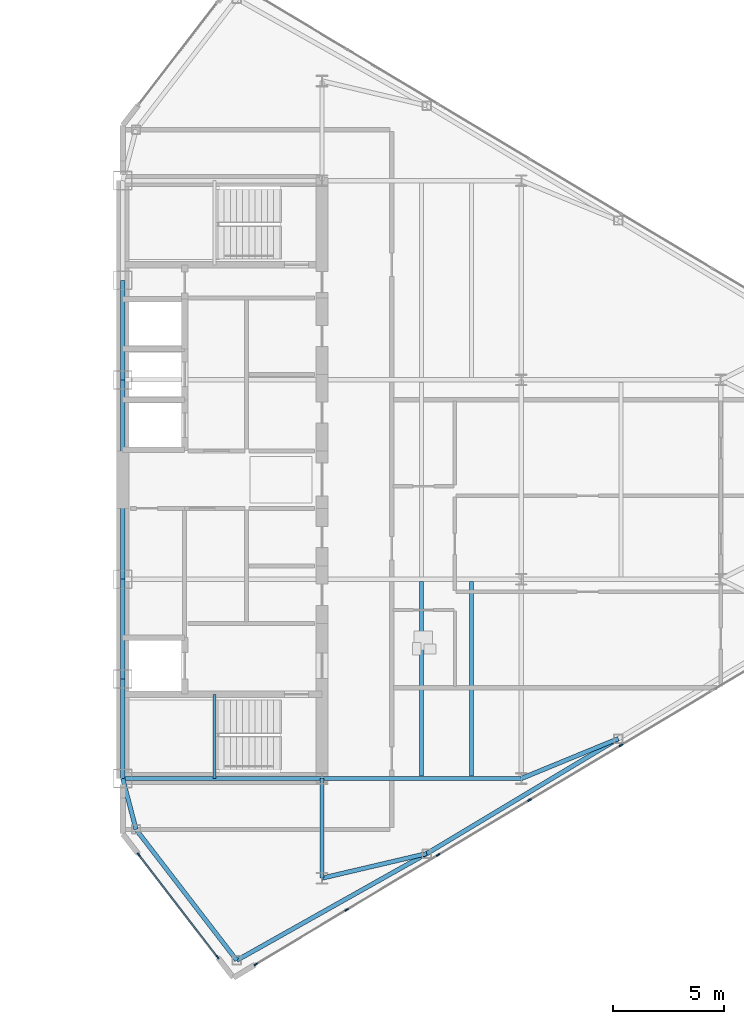
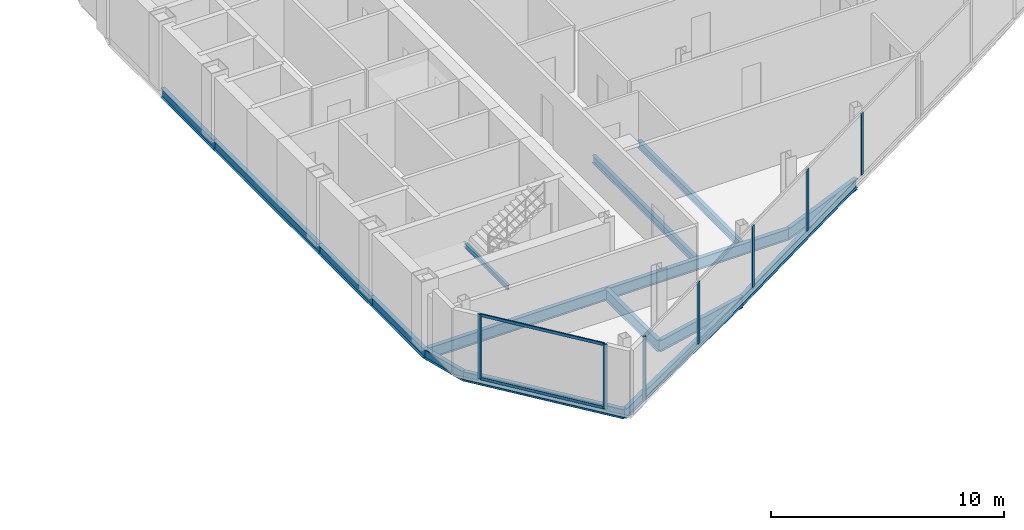
# One storey, part 11 of 25: 16 beams, 9 members, 2 elements without a shape of their own.
"""IFC4 building model written with IfcOpenShell, lengths in metres."""

from ifc_helpers import new_model, si_unit, direction, frame, origin, origin_2d, place, context, subcontext, project, spatial, rectangle, i_section, extrude, source, transform, mapped, material, layer, layer_set, material_profile, profile_set, type_object, type_shapes, element, aggregate, save


model = new_model("IFC4")

# Units and contexts
model_context = context("Model", 3, precision=1e-05, world=origin(), true_north=direction((0.0, 1.0)))
body_context = subcontext(model_context, "Body", "Model", "MODEL_VIEW")
ifc_project = project(units=[si_unit("LENGTHUNIT", "METRE"), si_unit("AREAUNIT", "SQUARE_METRE"), si_unit("VOLUMEUNIT", "CUBIC_METRE"), si_unit("PLANEANGLEUNIT", "RADIAN"), si_unit("MASSUNIT", "GRAM", prefix="KILO")], contexts=[model_context])

# Site, building, storey
site_placement = place(None, origin())
site = spatial("IfcSite", under=ifc_project, at=site_placement, CompositionType="ELEMENT")
building_placement = place(site_placement, origin())
building = spatial("IfcBuilding", under=site, at=building_placement, Name="Seokmaru Belvedere", CompositionType="ELEMENT")
storey_placement = place(building_placement, frame((0.0, 0.0, 206.699951171875)))
storey = spatial("IfcBuildingStorey", under=building, at=storey_placement, Name="L55", CompositionType="ELEMENT", Elevation=206.699951171875)

# Beams
ifc_material_1 = material(Name="Steel SM355 (355 MPa)", Category="steel")
ifc_material_profile_1 = material_profile(ifc_material_1, i_section(OverallWidth=0.199951171875, OverallDepth=0.5, WebThickness=0.010009765625, FlangeThickness=0.01611328125, at=origin_2d()), Name="H-500x200x10x16")
ifc_profile_set_1 = profile_set([ifc_material_profile_1], Name="Steel SM355 (355 MPa)")
beam_type_1 = type_object("IfcBeamType", Name="Perimeter Spandrel Beam H-500", PredefinedType="SPANDREL", material=ifc_profile_set_1)
shared_shape_1 = source(origin(), body_context, "Body", "SweptSolid", [
    extrude(i_section(OverallWidth=0.199951171875, OverallDepth=0.5, WebThickness=0.010009765625, FlangeThickness=0.01611328125, at=origin_2d()), origin(), (0.0, 0.0, 1.0), 4.5),
])
for number, where, z_axis, x_axis, name in (
    (1, (27.5, -13.5, -0.469970703125), (0.0, 1.0, 0.0), (-1.0, 0.0, 0.0), "L55 E Portal Spine Spandrel 1"),
    (2, (27.5, -9.0, -0.469970703125), (0.0, 1.0, 0.0), (-1.0, 0.0, 0.0), "L55 E Portal Spine Spandrel 2"),
    (3, (27.5, 4.5, -0.469970703125), (0.0, 1.0, 0.0), (-1.0, 0.0, 0.0), "L55 E Portal Spine Spandrel 4"),
):
    element("IfcBeam", number, at=place(storey_placement, frame(where, z_axis=z_axis, x_axis=x_axis)), inside=storey, type_object=beam_type_1, Name=name, PredefinedType="SPANDREL", context=body_context, shape_type="MappedRepresentation", body=[
        mapped(shared_shape_1, transform((0.0, 0.0, 0.0), scale=1.0)),
    ])
shared_shape_2 = source(origin(), body_context, "Body", "SweptSolid", [
    extrude(i_section(OverallWidth=0.199951171875, OverallDepth=0.5, WebThickness=0.010009765625, FlangeThickness=0.01611328125, at=origin_2d()), origin(), (0.0, 0.0, 1.0), 9.0),
])
beam_1_placement = place(storey_placement, frame((27.5, -4.5, -0.469970703125), z_axis=(0.0, 1.0, 0.0), x_axis=(-1.0, 0.0, 0.0)))
element("IfcBeam", 4, at=beam_1_placement, inside=storey, type_object=beam_type_1, Name="L55 E Portal Spine Spandrel 3", PredefinedType="SPANDREL", context=body_context, shape_type="MappedRepresentation", body=[
    mapped(shared_shape_2, transform((0.0, 0.0, 0.0), scale=1.0)),
])
ifc_material_profile_2 = material_profile(ifc_material_1, i_section(OverallWidth=0.199951171875, OverallDepth=0.60009765625, WebThickness=0.010986328125, FlangeThickness=0.01708984375, at=origin_2d()), Name="H-600x200x11x17")
ifc_profile_set_2 = profile_set([ifc_material_profile_2], Name="Steel SM355 (355 MPa)")
beam_type_2 = type_object("IfcBeamType", Name="Primary Floor Girder H-600", PredefinedType="BEAM", material=ifc_profile_set_2)
shared_shape_3 = source(origin(), body_context, "Body", "SweptSolid", [
    extrude(i_section(OverallWidth=0.199951171875, OverallDepth=0.60009765625, WebThickness=0.010986328125, FlangeThickness=0.01708984375, at=origin_2d()), origin(), (0.0, 0.0, 1.0), 9.0),
])
for number, where, z_axis, x_axis, name in (
    (5, (27.5, -13.5, -0.52001953125), (1.0, 0.0, 0.0), (0.0, 1.0, 0.0), "L55 E Core Tie Girder 1"),
    (6, (36.5, -13.5, -0.52001953125), (1.0, 0.0, 0.0), (0.0, 1.0, 0.0), "L55 E Wing Primary Girder 1"),
):
    element("IfcBeam", number, at=place(storey_placement, frame(where, z_axis=z_axis, x_axis=x_axis)), inside=storey, type_object=beam_type_2, Name=name, PredefinedType="BEAM", context=body_context, shape_type="MappedRepresentation", body=[
        mapped(shared_shape_3, transform((0.0, 0.0, 0.0), scale=1.0)),
    ])
ifc_material_profile_3 = material_profile(ifc_material_1, i_section(OverallWidth=0.18505859375, OverallDepth=0.389892578125, WebThickness=0.008056640625, FlangeThickness=0.011962890625, at=origin_2d()), Name="H-390x185x8x12")
ifc_profile_set_3 = profile_set([ifc_material_profile_3], Name="Steel SM355 (355 MPa)")
beam_type_3 = type_object("IfcBeamType", Name="Secondary Floor Joist H-350", PredefinedType="JOIST", material=ifc_profile_set_3)
shared_shape_4 = source(origin(), body_context, "Body", "SweptSolid", [
    extrude(i_section(OverallWidth=0.18505859375, OverallDepth=0.389892578125, WebThickness=0.008056640625, FlangeThickness=0.011962890625, at=origin_2d()), origin(), (0.0, 0.0, 1.0), 8.7900390625),
])
type_shapes(beam_type_3, [shared_shape_4])
for number, where, z_axis, x_axis, name in (
    (7, (43.25, -13.39501953125, -0.4150390625), (0.0, 1.0, 0.0), (-1.0, 0.0, 0.0), "L55 E Wing Inner Secondary Joist 1"),
    (8, (41.0, -13.39501953125, -0.4150390625), (0.0, 1.0, 0.0), (-1.0, 0.0, 0.0), "L55 E Secondary Floor Joist 1"),
):
    element("IfcBeam", number, at=place(storey_placement, frame(where, z_axis=z_axis, x_axis=x_axis)), inside=storey, type_object=beam_type_3, Name=name, PredefinedType="JOIST", context=body_context, shape_type="MappedRepresentation", body=[
        mapped(shared_shape_4, transform((0.0, 0.0, 0.0), scale=1.0)),
    ])
shared_shape_5 = source(origin(), body_context, "Body", "SweptSolid", [
    extrude(i_section(OverallWidth=0.199951171875, OverallDepth=0.60009765625, WebThickness=0.010986328125, FlangeThickness=0.01708984375, at=origin_2d()), origin(), (0.0, 0.0, 1.0), 4.5),
])
beam_2_placement = place(storey_placement, frame((36.5, -18.0, -0.52001953125), z_axis=(0.0, 1.0, 0.0), x_axis=(-1.0, 0.0, 0.0)))
element("IfcBeam", 9, at=beam_2_placement, inside=storey, type_object=beam_type_2, Name="L55 E Core Shoulder Girder S", PredefinedType="BEAM", context=body_context, shape_type="MappedRepresentation", body=[
    mapped(shared_shape_5, transform((0.0, 0.0, 0.0), scale=1.0)),
])
shared_shape_6 = source(origin(), body_context, "Body", "SweptSolid", [
    extrude(i_section(OverallWidth=0.199951171875, OverallDepth=0.5, WebThickness=0.010009765625, FlangeThickness=0.01611328125, at=origin_2d()), origin(), (0.0, 0.0, 1.0), 9.842041015625),
])
beam_3_placement = place(storey_placement, frame((32.649658203125, -21.71044921875, -0.469970703125), z_axis=(0.871782151818, 0.489893743349, 0.0), x_axis=(-0.489893743349, 0.871782151818, 0.0)))
element("IfcBeam", 10, at=beam_3_placement, inside=storey, type_object=beam_type_1, Name="L55 E Faceted Flank Spandrel S-1", PredefinedType="SPANDREL", context=body_context, shape_type="MappedRepresentation", body=[
    mapped(shared_shape_6, transform((0.0, 0.0, 0.0), scale=1.0)),
])
shared_shape_7 = source(origin(), body_context, "Body", "SweptSolid", [
    extrude(i_section(OverallWidth=0.199951171875, OverallDepth=0.5, WebThickness=0.010009765625, FlangeThickness=0.01611328125, at=origin_2d()), origin(), (0.0, 0.0, 1.0), 10.087646484375),
])
beam_4_placement = place(storey_placement, frame((41.229736328125, -16.888916015625, -0.469970703125), z_axis=(0.857499332045, 0.514485078056, 0.0), x_axis=(-0.514485078056, 0.857499332045, 0.0)))
element("IfcBeam", 11, at=beam_4_placement, inside=storey, type_object=beam_type_1, Name="L55 E Faceted Flank Spandrel S-2", PredefinedType="SPANDREL", context=body_context, shape_type="MappedRepresentation", body=[
    mapped(shared_shape_7, transform((0.0, 0.0, 0.0), scale=1.0)),
])
shared_shape_8 = source(origin(), body_context, "Body", "SweptSolid", [
    extrude(i_section(OverallWidth=0.199951171875, OverallDepth=0.5, WebThickness=0.010009765625, FlangeThickness=0.01611328125, at=origin_2d()), origin(), (0.0, 0.0, 1.0), 7.4619140625),
])
beam_5_placement = place(storey_placement, frame((32.649658203125, -21.71044921875, -0.469970703125), z_axis=(-0.609702854945, 0.792630070507, 0.0), x_axis=(-0.792630070507, -0.609702854945, 0.0)))
element("IfcBeam", 12, at=beam_5_placement, inside=storey, type_object=beam_type_1, Name="L55 E Shoulder Chamfer Spandrel S", PredefinedType="SPANDREL", context=body_context, shape_type="MappedRepresentation", body=[
    mapped(shared_shape_8, transform((0.0, 0.0, 0.0), scale=1.0)),
])
shared_shape_9 = source(origin(), body_context, "Body", "SweptSolid", [
    extrude(i_section(OverallWidth=0.199951171875, OverallDepth=0.5, WebThickness=0.010009765625, FlangeThickness=0.01611328125, at=origin_2d()), origin(), (0.0, 0.0, 1.0), 2.373046875),
])
type_shapes(beam_type_1, [shared_shape_1, shared_shape_2, shared_shape_6, shared_shape_7, shared_shape_8, shared_shape_9])
beam_6_placement = place(storey_placement, frame((28.10009765625, -15.7958984375, -0.469970703125), z_axis=(-0.252882558842, 0.967496982648, 0.0), x_axis=(-0.967496982648, -0.252882558842, 0.0)))
element("IfcBeam", 13, at=beam_6_placement, inside=storey, type_object=beam_type_1, Name="L55 E Shoulder Spine Spandrel S", PredefinedType="SPANDREL", context=body_context, shape_type="MappedRepresentation", body=[
    mapped(shared_shape_9, transform((0.0, 0.0, 0.0), scale=1.0)),
])
shared_shape_10 = source(origin(), body_context, "Body", "SweptSolid", [
    extrude(i_section(OverallWidth=0.199951171875, OverallDepth=0.60009765625, WebThickness=0.010986328125, FlangeThickness=0.01708984375, at=origin_2d()), origin(), (0.0, 0.0, 1.0), 4.8583984375),
])
beam_7_placement = place(storey_placement, frame((41.229736328125, -16.888916015625, -0.52001953125), z_axis=(-0.97349948295, -0.228689214211, 0.0), x_axis=(0.228689214211, -0.97349948295, 0.0)))
element("IfcBeam", 14, at=beam_7_placement, inside=storey, type_object=beam_type_2, Name="L55 E Flank Radial Floor Girder S-1", PredefinedType="BEAM", context=body_context, shape_type="MappedRepresentation", body=[
    mapped(shared_shape_10, transform((0.0, 0.0, 0.0), scale=1.0)),
])
shared_shape_11 = source(origin(), body_context, "Body", "SweptSolid", [
    extrude(i_section(OverallWidth=0.199951171875, OverallDepth=0.60009765625, WebThickness=0.010986328125, FlangeThickness=0.01708984375, at=origin_2d()), origin(), (0.0, 0.0, 1.0), 4.73583984375),
])
type_shapes(beam_type_2, [shared_shape_3, shared_shape_5, shared_shape_10, shared_shape_11])
beam_8_placement = place(storey_placement, frame((49.8798828125, -11.698974609375, -0.52001953125), z_axis=(-0.924860562953, -0.380306375301, 0.0), x_axis=(0.380306375301, -0.924860562953, 0.0)))
element("IfcBeam", 15, at=beam_8_placement, inside=storey, type_object=beam_type_2, Name="L55 E Flank Radial Floor Girder S-2", PredefinedType="BEAM", context=body_context, shape_type="MappedRepresentation", body=[
    mapped(shared_shape_11, transform((0.0, 0.0, 0.0), scale=1.0)),
])

# Curtain wall, members
ifc_material_2 = material(Name="Bronze Triple Insulating Glass", Category="glass")
ifc_layer = layer(ifc_material_2, 0.179931640625)
ifc_layer_set = layer_set([ifc_layer], Name="Bronze Triple Insulating Glass")
curtain_wall_type = type_object("IfcCurtainWallType", Name="High-Rise Wind-Corner Curtain Wall System CW-5", PredefinedType="NOTDEFINED", material=ifc_layer_set)
curtain_wall_1_placement = place(storey_placement, origin())
curtain_wall_1 = element("IfcCurtainWall", 16, at=curtain_wall_1_placement, inside=storey, type_object=curtain_wall_type, Name="L55 Curtain Wall EF1", PredefinedType="NOTDEFINED")
ifc_material_3 = material(Name="Anodised Bronze Aluminium", Category="aluminium")
ifc_material_profile_4 = material_profile(ifc_material_3, rectangle(XDim=0.06494140625, YDim=0.179931640625, at=origin_2d()), Name="CW-M-65x180")
ifc_profile_set_4 = profile_set([ifc_material_profile_4], Name="Anodised Bronze Aluminium")
member_type_1 = type_object("IfcMemberType", Name="Bronze Unitised Mullion 65x180", PredefinedType="MULLION", material=ifc_profile_set_4)
shared_shape_12 = source(origin(), body_context, "Body", "SweptSolid", [
    extrude(rectangle(XDim=0.06494140625, YDim=0.179931640625, at=origin_2d()), origin(), (0.0, 0.0, 1.0), 3.25),
])
member_1_placement = place(storey_placement, frame((37.614501953125, -19.43115234375, 0.06494140625), z_axis=(0.0, 0.0, 1.0), x_axis=(-0.514494909364, 0.85749343335, 0.0)))
member_1 = element("IfcMember", 17, at=member_1_placement, type_object=member_type_1, Name="CW:L55:EF1 Mullion 2", PredefinedType="MULLION", context=body_context, shape_type="MappedRepresentation", body=[
    mapped(shared_shape_12, transform((0.0, 0.0, 0.0), scale=1.0)),
])
member_2_placement = place(storey_placement, frame((41.7431640625, -16.9541015625, 0.06494140625), z_axis=(0.0, 0.0, 1.0), x_axis=(-0.514494909364, 0.85749343335, 0.0)))
member_2 = element("IfcMember", 18, at=member_2_placement, type_object=member_type_1, Name="CW:L55:EF1 Mullion 3", PredefinedType="MULLION", context=body_context, shape_type="MappedRepresentation", body=[
    mapped(shared_shape_12, transform((0.0, 0.0, 0.0), scale=1.0)),
])
member_3_placement = place(storey_placement, frame((45.87158203125, -14.47705078125, 0.06494140625), z_axis=(0.0, 0.0, 1.0), x_axis=(-0.514494909364, 0.85749343335, 0.0)))
member_3 = element("IfcMember", 19, at=member_3_placement, type_object=member_type_1, Name="CW:L55:EF1 Mullion 4", PredefinedType="MULLION", context=body_context, shape_type="MappedRepresentation", body=[
    mapped(shared_shape_12, transform((0.0, 0.0, 0.0), scale=1.0)),
])
member_4_placement = place(storey_placement, frame((50.0, -12.0, 0.06494140625), z_axis=(0.0, 0.0, 1.0), x_axis=(-0.514494909364, 0.85749343335, 0.0)))
member_4 = element("IfcMember", 20, at=member_4_placement, type_object=member_type_1, Name="CW:L55:EF1 Mullion 5", PredefinedType="MULLION", context=body_context, shape_type="MappedRepresentation", body=[
    mapped(shared_shape_12, transform((0.0, 0.0, 0.0), scale=1.0)),
])
shared_shape_13 = source(origin(), body_context, "Body", "SweptSolid", [
    extrude(rectangle(XDim=0.06494140625, YDim=0.179931640625, at=origin_2d()), origin(), (0.0, 0.0, 1.0), 3.380126953125),
])
type_shapes(member_type_1, [shared_shape_12, shared_shape_13])
member_5_placement = place(storey_placement, frame((33.513916015625, -21.8916015625, 0.0), z_axis=(0.0, 0.0, 1.0), x_axis=(-0.514494909364, 0.85749343335, 0.0)))
member_5 = element("IfcMember", 21, at=member_5_placement, type_object=member_type_1, Name="CW:L55:EF1 Mullion 1", PredefinedType="MULLION", context=body_context, shape_type="MappedRepresentation", body=[
    mapped(shared_shape_13, transform((0.0, 0.0, 0.0), scale=1.0)),
])
aggregate(curtain_wall_1, [member_5, member_1, member_2, member_3, member_4])

curtain_wall_2_placement = place(storey_placement, origin())
curtain_wall_2 = element("IfcCurtainWall", 22, at=curtain_wall_2_placement, inside=storey, type_object=curtain_wall_type, Name="L55 Curtain Wall EF6", PredefinedType="NOTDEFINED")
member_6_placement = place(storey_placement, frame((28.220947265625, -16.937255859375, 0.0), z_axis=(0.0, 0.0, 1.0), x_axis=(0.792631353244, 0.609701187349, 0.0)))
member_6 = element("IfcMember", 23, at=member_6_placement, type_object=member_type_1, Name="CW:L55:EF6 Mullion 1", PredefinedType="MULLION", context=body_context, shape_type="MappedRepresentation", body=[
    mapped(shared_shape_13, transform((0.0, 0.0, 0.0), scale=1.0)),
])
member_7_placement = place(storey_placement, frame((31.779052734375, -21.562744140625, 0.0), z_axis=(0.0, 0.0, 1.0), x_axis=(0.792631353244, 0.609701187349, 0.0)))
member_7 = element("IfcMember", 24, at=member_7_placement, type_object=member_type_1, Name="CW:L55:EF6 Mullion 2", PredefinedType="MULLION", context=body_context, shape_type="MappedRepresentation", body=[
    mapped(shared_shape_13, transform((0.0, 0.0, 0.0), scale=1.0)),
])
ifc_material_profile_5 = material_profile(ifc_material_3, rectangle(XDim=0.06494140625, YDim=0.14990234375, at=origin_2d()), Name="CW-T-65x150")
ifc_profile_set_5 = profile_set([ifc_material_profile_5], Name="Anodised Bronze Aluminium")
member_type_2 = type_object("IfcMemberType", Name="Bronze Unitised Transom 65x150", PredefinedType="USERDEFINED", material=ifc_profile_set_5)
shared_shape_14 = source(origin(), body_context, "Body", "SweptSolid", [
    extrude(rectangle(XDim=0.06494140625, YDim=0.14990234375, at=origin_2d()), origin(), (0.0, 0.0, 1.0), 5.77099609375),
])
type_shapes(member_type_2, [shared_shape_14])
member_8_placement = place(storey_placement, frame((28.24072265625, -16.962890625, 0.032470703125), z_axis=(0.60970258286, -0.792630279799, 0.0), x_axis=(0.792630279799, 0.60970258286, 0.0)))
member_8 = element("IfcMember", 25, at=member_8_placement, type_object=member_type_2, Name="CW:L55:EF6 Continuous Transom 1", ObjectType="TRANSOM", PredefinedType="USERDEFINED", context=body_context, shape_type="MappedRepresentation", body=[
    mapped(shared_shape_14, transform((0.0, 0.0, 0.0), scale=1.0)),
])
member_9_placement = place(storey_placement, frame((28.24072265625, -16.962890625, 3.34765625), z_axis=(0.60970258286, -0.792630279799, 0.0), x_axis=(0.792630279799, 0.60970258286, 0.0)))
member_9 = element("IfcMember", 26, at=member_9_placement, type_object=member_type_2, Name="CW:L55:EF6 Continuous Transom 2", ObjectType="TRANSOM", PredefinedType="USERDEFINED", context=body_context, shape_type="MappedRepresentation", body=[
    mapped(shared_shape_14, transform((0.0, 0.0, 0.0), scale=1.0)),
])
aggregate(curtain_wall_2, [member_6, member_7, member_8, member_9])

# Beam
ifc_material_profile_6 = material_profile(ifc_material_1, i_section(OverallWidth=0.125, OverallDepth=0.25, WebThickness=0.006103515625, FlangeThickness=0.009033203125, at=origin_2d()), Name="H-250x125x6x9")
ifc_profile_set_6 = profile_set([ifc_material_profile_6], Name="Steel SM355 (355 MPa)")
beam_type_4 = type_object("IfcBeamType", Name="Stair Mid-Landing Support Beam H-250", PredefinedType="JOIST", material=ifc_profile_set_6)
shared_shape_15 = source(origin(), body_context, "Body", "SweptSolid", [
    extrude(i_section(OverallWidth=0.125, OverallDepth=0.25, WebThickness=0.006103515625, FlangeThickness=0.009033203125, at=origin_2d()), origin(), (0.0, 0.0, 1.0), 3.800048828125),
])
type_shapes(beam_type_4, [shared_shape_15])
beam_9_placement = place(storey_placement, frame((31.64990234375, -13.5, 1.47509765625), z_axis=(0.0, 1.0, 0.0), x_axis=(-1.0, 0.0, 0.0)))
element("IfcBeam", 27, at=beam_9_placement, inside=storey, type_object=beam_type_4, Name="L55 Stair ST-E1 Mid-Landing Support Beam 1", PredefinedType="JOIST", context=body_context, shape_type="MappedRepresentation", body=[
    mapped(shared_shape_15, transform((0.0, 0.0, 0.0), scale=1.0)),
])

save(model, "model.ifc")
